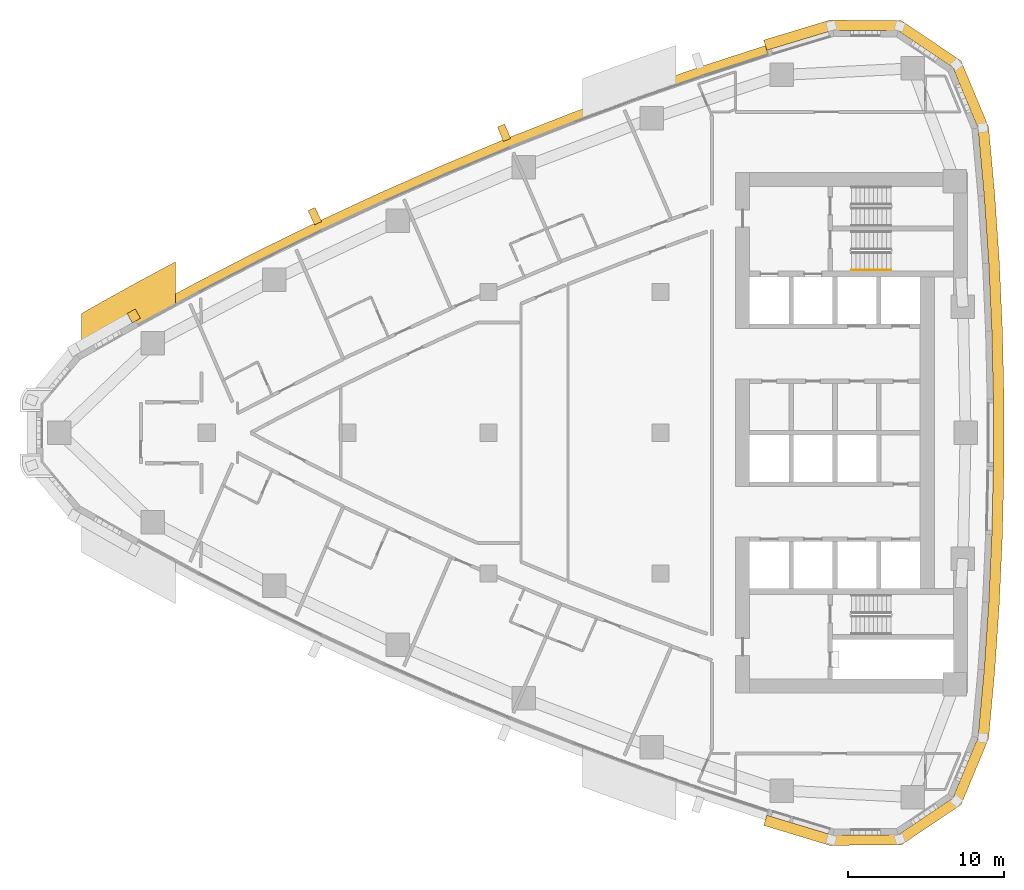
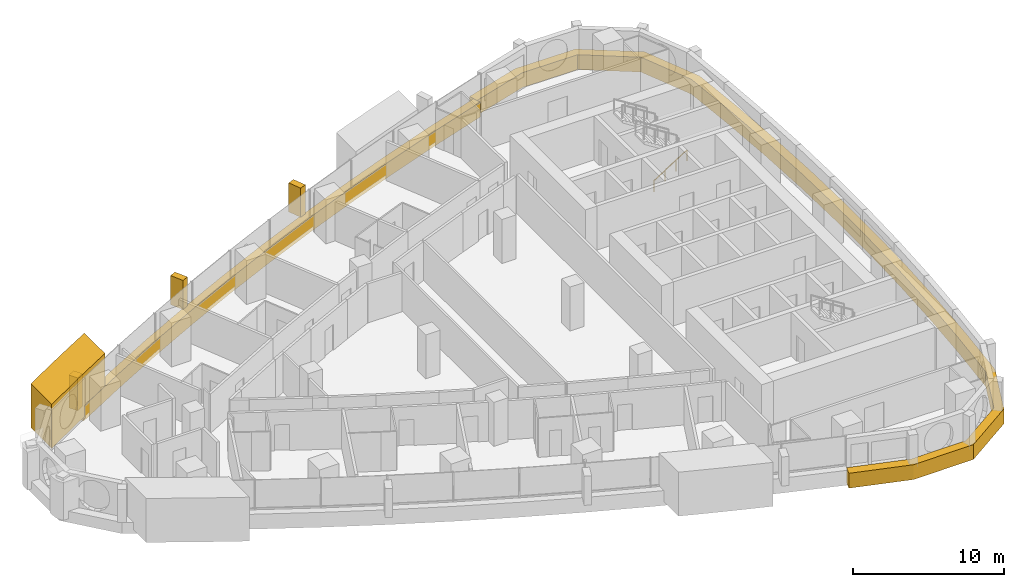
# One storey, part 16 of 17: 6 coverings, 1 railing.
"""IFC4 building model written with IfcOpenShell, lengths in metres."""

from ifc_helpers import new_model, si_unit, direction, frame, frame_2d, origin, origin_2d, place, context, subcontext, project, spatial, polyline, rectangle, circle, outline, extrude, material, layer, layer_set, type_object, element, save


model = new_model("IFC4")

# Units and contexts
model_context = context("Model", 3, precision=1e-05, world=origin(), true_north=direction((0.0, 1.0)))
body_context = subcontext(model_context, "Body", "Model", "MODEL_VIEW")
ifc_project = project(units=[si_unit("LENGTHUNIT", "METRE"), si_unit("AREAUNIT", "SQUARE_METRE"), si_unit("VOLUMEUNIT", "CUBIC_METRE"), si_unit("PLANEANGLEUNIT", "RADIAN"), si_unit("MASSUNIT", "GRAM", prefix="KILO")], contexts=[model_context])

# Site, building, storey
site_placement = place(None, origin())
site = spatial("IfcSite", under=ifc_project, at=site_placement, CompositionType="ELEMENT")
building_placement = place(site_placement, origin())
building = spatial("IfcBuilding", under=site, at=building_placement, Name="Ostrand Prow Hotel Tower", CompositionType="ELEMENT")
storey_placement = place(building_placement, frame((0.0, 0.0, 162.14990234375)))
storey = spatial("IfcBuildingStorey", under=building, at=storey_placement, Name="L40", CompositionType="ELEMENT", Elevation=162.14990234375)

# Coverings
ifc_material_1 = material(Name="Bronze anodised aluminium cladding", Category="aluminium")
ifc_layer_1 = layer(ifc_material_1, 0.60009765625)
ifc_layer_set_1 = layer_set([ifc_layer_1], Name="Bronze anodised aluminium cladding")
covering_type_1 = type_object("IfcCoveringType", Name="Bronze spandrel band 1200x600", PredefinedType="CLADDING", material=ifc_layer_set_1)
covering_1_placement = place(storey_placement, frame((0.0, 0.0, -0.2998046875)))
element("IfcCovering", 1, at=covering_1_placement, inside=storey, type_object=covering_type_1, Name="Spandrel band N1", PredefinedType="CLADDING", context=body_context, shape_type="SweptSolid", body=[
    extrude(outline(polyline([(51.705322265625, 24.74560546875), (47.522705078125, 23.385009765625), (43.368408203125, 21.9404296875), (39.243896484375, 20.41259765625), (35.15087890625, 18.80224609375), (31.091064453125, 17.110107421875), (27.06591796875, 15.336669921875), (23.077392578125, 13.482666015625), (19.126953125, 11.548828125), (15.21630859375, 9.535888671875), (11.3466796875, 7.445068359375), (11.63720703125, 6.920166015625), (15.49609375, 9.00537109375), (19.396240234375, 11.0126953125), (23.335693359375, 12.941162109375), (27.3134765625, 14.7900390625), (31.327392578125, 16.55859375), (35.376220703125, 18.24609375), (39.457763671875, 19.85205078125), (43.571044921875, 21.375732421875), (47.714111328125, 22.81640625), (51.88525390625, 24.17333984375), (51.705322265625, 24.74560546875)])), origin(), (0.0, 0.0, 1.0), 1.199951171875),
])
covering_2_placement = place(storey_placement, frame((0.0, 0.0, -0.2998046875)))
element("IfcCovering", 2, at=covering_2_placement, inside=storey, type_object=covering_type_1, Name="Spandrel band back 1", PredefinedType="CLADDING", context=body_context, shape_type="SweptSolid", body=[
    extrude(outline(polyline([(51.594970703125, -25.0966796875), (55.811279296875, -26.375244140625), (60.402099609375, -26.339111328125), (64.211181640625, -23.77587890625), (65.973388671875, -19.53662109375), (66.3662109375, -15.205322265625), (66.66064453125, -10.86669921875), (66.857177734375, -6.522216796875), (66.95556640625, -2.17431640625), (66.95556640625, 2.17431640625), (66.857177734375, 6.522216796875), (66.66064453125, 10.86669921875), (66.3662109375, 15.205322265625), (65.973388671875, 19.53662109375), (64.211181640625, 23.77587890625), (60.402099609375, 26.339111328125), (55.811279296875, 26.375244140625), (51.594970703125, 25.0966796875), (51.798828125, 24.447998046875), (56.001953125, 25.722412109375), (60.201171875, 25.689697265625), (63.68505859375, 23.34521484375), (65.296875, 19.467529296875), (65.688232421875, 15.151611328125), (65.981689453125, 10.828125), (66.177490234375, 6.4990234375), (66.275634765625, 2.166748046875), (66.275634765625, -2.166748046875), (66.177490234375, -6.4990234375), (65.981689453125, -10.828125), (65.688232421875, -15.151611328125), (65.296875, -19.467529296875), (63.68505859375, -23.34521484375), (60.201171875, -25.689697265625), (56.001953125, -25.722412109375), (51.798828125, -24.447998046875), (51.594970703125, -25.0966796875)])), origin(), (0.0, 0.0, 1.0), 1.199951171875),
])
ifc_material_2 = material(Name="Limestone cladding", Category="masonry")
ifc_layer_2 = layer(ifc_material_2, 5.0)
ifc_layer_set_2 = layer_set([ifc_layer_2], Name="Limestone cladding")
covering_type_2 = type_object("IfcCoveringType", Name="Portal jamb pilaster limestone", PredefinedType="CLADDING", material=ifc_layer_set_2)
covering_3_placement = place(storey_placement, origin())
element("IfcCovering", 3, at=covering_3_placement, inside=storey, type_object=covering_type_2, Name="Portal jamb NA L40", PredefinedType="CLADDING", context=body_context, shape_type="SweptSolid", body=[
    extrude(outline(polyline([(8.0, 4.861572265625), (9.0, 5.436767578125), (10.0, 6.0048828125), (11.0, 6.566162109375), (12.0, 7.12060546875), (13.0, 7.66796875), (14.0, 8.208740234375), (14.0, 10.92919921875), (13.0, 10.39599609375), (12.0, 9.856201171875), (11.0, 9.3095703125), (10.0, 8.75634765625), (9.0, 8.1962890625), (8.0, 7.62939453125), (8.0, 4.861572265625)])), origin(), (0.0, 0.0, 1.0), 3.550048828125),
])
ifc_material_3 = material(Name="Limestone cladding", Category="masonry")
ifc_layer_3 = layer(ifc_material_3, 0.5)
ifc_layer_set_3 = layer_set([ifc_layer_3], Name="Limestone cladding")
covering_type_3 = type_object("IfcCoveringType", Name="Precast stone fin 500x900", PredefinedType="CLADDING", material=ifc_layer_set_3)
covering_4_placement = place(storey_placement, frame((35.188232421875, 18.709716796875, 0.900146484375), z_axis=(0.0, 0.0, 1.0), x_axis=(-0.375302653349, 0.926902324082, 0.0)))
element("IfcCovering", 4, at=covering_4_placement, inside=storey, type_object=covering_type_3, Name="Stone fin N 5", PredefinedType="CLADDING", context=body_context, shape_type="SweptSolid", body=[
    extrude(rectangle(XDim=0.999755859375, YDim=0.5, at=frame_2d((0.5, 0.0))), origin(), (0.0, 0.0, 1.0), 2.349853515625),
])
covering_5_placement = place(storey_placement, frame((23.12060546875, 13.392333984375, 0.900146484375), z_axis=(0.0, 0.0, 1.0), x_axis=(-0.430634686673, 0.902526324621, 0.0)))
element("IfcCovering", 5, at=covering_5_placement, inside=storey, type_object=covering_type_3, Name="Stone fin N 8", PredefinedType="CLADDING", context=body_context, shape_type="SweptSolid", body=[
    extrude(rectangle(XDim=1.0, YDim=0.5, at=frame_2d((0.5, 0.0))), origin(), (0.0, 0.0, 1.0), 2.349853515625),
])
ifc_material_4 = material(Name="Limestone cladding", Category="masonry")
ifc_layer_4 = layer(ifc_material_4, 0.60009765625)
ifc_layer_set_4 = layer_set([ifc_layer_4], Name="Limestone cladding")
covering_type_4 = type_object("IfcCoveringType", Name="Precast stone prow rib 600x600", PredefinedType="CLADDING", material=ifc_layer_set_4)
covering_6_placement = place(storey_placement, frame((11.497802734375, 7.171875, 0.60009765625), z_axis=(0.0, 0.0, 1.0), x_axis=(-0.484301161624, 0.874901357211, 0.0)))
element("IfcCovering", 6, at=covering_6_placement, inside=storey, type_object=covering_type_4, Name="Stone prow rib 1", PredefinedType="CLADDING", context=body_context, shape_type="SweptSolid", body=[
    extrude(rectangle(XDim=0.679931640625, YDim=0.60009765625, at=frame_2d((0.33984375, 0.0))), origin(), (0.0, 0.0, 1.0), 2.64990234375),
])

# Railing
ifc_material_5 = material(Name="Stainless steel", Category="steel")
railing_type = type_object("IfcRailingType", Name="Stair handrail 900", PredefinedType="HANDRAIL", material=ifc_material_5)
railing_placement = place(storey_placement, frame((57.199951171875, 10.39990234375, 0.177490234375)))
element("IfcRailing", 7, at=railing_placement, inside=storey, type_object=railing_type, Name="L40 ST1C stair handrail 1", PredefinedType="HANDRAIL", context=body_context, shape_type="SweptSolid", body=[
    extrude(circle(Radius=0.02392578125, at=origin_2d()), frame((0.0, 0.0, 0.8759765625), z_axis=(0.84456994832, 0.0, 0.535445237532), x_axis=(0.0, 1.0, 0.0)), (0.0, 0.0, 1.0), 2.98388671875),
    extrude(circle(Radius=0.02099609375, at=origin_2d()), origin(), (0.0, 0.0, 1.0), 0.851806640625),
    extrude(circle(Radius=0.02099609375, at=origin_2d()), frame((0.840087890625, 0.0, 0.532470703125)), (0.0, 0.0, 1.0), 0.851806640625),
    extrude(circle(Radius=0.02099609375, at=origin_2d()), frame((1.679931640625, 0.0, 1.065185546875)), (0.0, 0.0, 1.0), 0.851806640625),
    extrude(circle(Radius=0.02099609375, at=origin_2d()), frame((2.52001953125, 0.0, 1.59765625)), (0.0, 0.0, 1.0), 0.851806640625),
])

save(model, "model.ifc")
